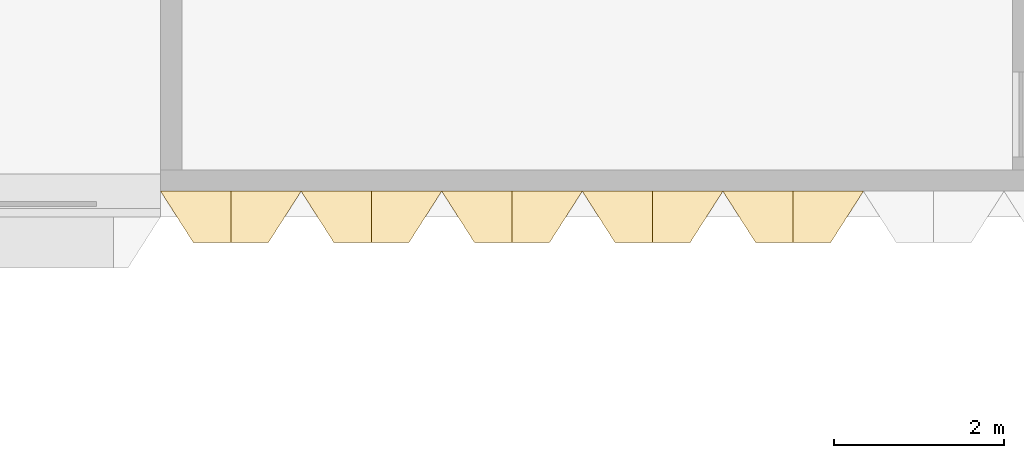
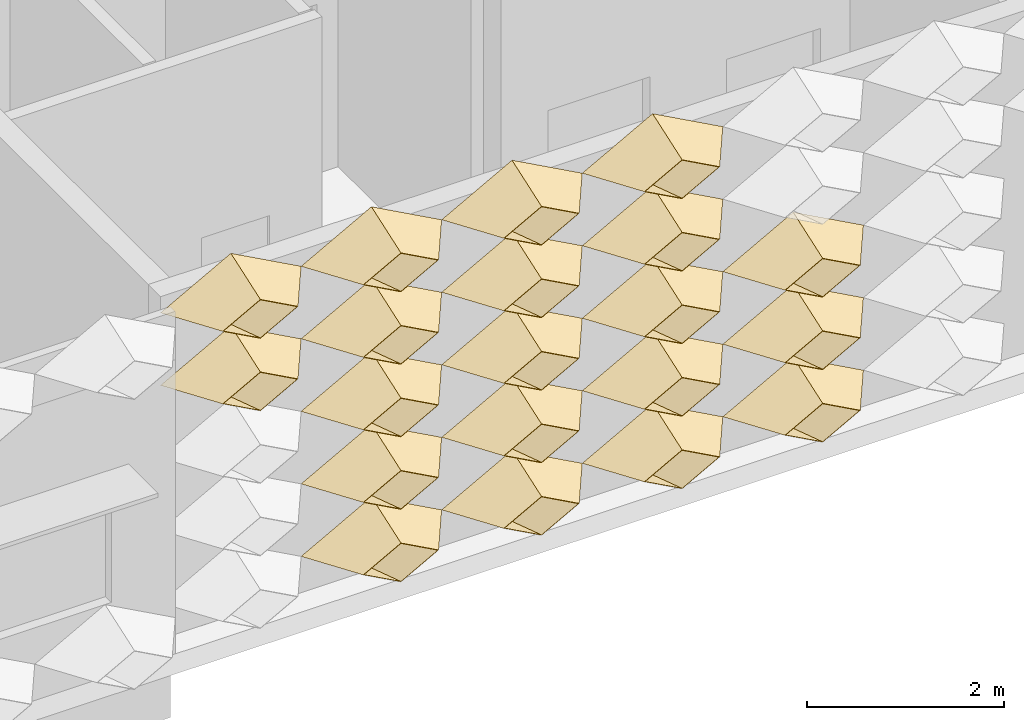
# One storey, part 88 of 102: 20 coverings.
"""IFC4 building model written with IfcOpenShell, lengths in metres."""

from ifc_helpers import new_model, entity, si_unit, direction, frame, origin, place, context, subcontext, project, spatial, material, layer, layer_set, type_object, element, save


model = new_model("IFC4")

# Units and contexts
model_context = context("Model", 3, precision=1e-05, world=origin(), true_north=direction((0.0, 1.0)))
body_context = subcontext(model_context, "Body", "Model", "MODEL_VIEW")
ifc_project = project(units=[si_unit("LENGTHUNIT", "METRE"), si_unit("AREAUNIT", "SQUARE_METRE"), si_unit("VOLUMEUNIT", "CUBIC_METRE"), si_unit("PLANEANGLEUNIT", "RADIAN"), si_unit("MASSUNIT", "GRAM", prefix="KILO")], contexts=[model_context])

# Site, building, storey
site_placement = place(None, origin())
site = spatial("IfcSite", under=ifc_project, at=site_placement, CompositionType="ELEMENT")
building_placement = place(site_placement, origin())
building = spatial("IfcBuilding", under=site, at=building_placement, Name="Lantern Court Research Institute", CompositionType="ELEMENT")
storey_placement = place(building_placement, frame((0.0, 0.0, 9.89990234375)))
storey = spatial("IfcBuildingStorey", under=building, at=storey_placement, Name="L02", CompositionType="ELEMENT", Elevation=9.89990234375)

# Coverings
ifc_material = material(Name="Anodised aluminium", Category="aluminium")
ifc_layer = layer(ifc_material, 0.01611328125)
ifc_layer_set = layer_set([ifc_layer], Name="Anodised aluminium")
covering_type = type_object("IfcCoveringType", Name="Fin cassette 1650 x 900 x 600 aluminium", PredefinedType="CLADDING", material=ifc_layer_set)
covering_1_placement = place(storey_placement, frame((42.074951171875, 82.5, 0.4501953125), z_axis=(0.0, -1.0, 0.0), x_axis=(1.0, 0.0, 0.0)))
cartesian_point_1 = entity("IfcCartesianPoint", [0.824951171875, 0.0])
cartesian_point_2 = entity("IfcCartesianPoint", [0.79150390625, 0.0])
cartesian_point_3 = entity("IfcCartesianPoint", [0.44189453125, 0.0])
cartesian_point_4 = entity("IfcCartesianPoint", [0.43359375, 0.0])
element("IfcCovering", 1, at=covering_1_placement, inside=storey, type_object=covering_type, Name="Fin cassette V6S-L02 1.26", PredefinedType="CLADDING", context=body_context, shape_type="SweptSolid", body=[
    entity("IfcExtrudedAreaSolidTapered", entity("IfcArbitraryProfileDefWithVoids", "AREA", None, entity("IfcPolyline", [cartesian_point_1, entity("IfcCartesianPoint", [0.0, 0.449951171875]), entity("IfcCartesianPoint", [-0.824951171875, 0.0]), entity("IfcCartesianPoint", [0.0, -0.449951171875]), cartesian_point_1]), [entity("IfcPolyline", [cartesian_point_2, entity("IfcCartesianPoint", [0.0, 0.431884765625]), entity("IfcCartesianPoint", [-0.79150390625, 0.0]), entity("IfcCartesianPoint", [0.0, -0.431884765625]), cartesian_point_2])]), entity("IfcAxis2Placement3D", entity("IfcCartesianPoint", [0.0, 0.0, 0.0])), entity("IfcDirection", [0.0, 0.0, 1.0]), 0.60009765625, entity("IfcArbitraryProfileDefWithVoids", "AREA", None, entity("IfcPolyline", [cartesian_point_3, entity("IfcCartesianPoint", [0.0, 0.240966796875]), entity("IfcCartesianPoint", [-0.44189453125, 0.0]), entity("IfcCartesianPoint", [0.0, -0.240966796875]), cartesian_point_3]), [entity("IfcPolyline", [cartesian_point_4, entity("IfcCartesianPoint", [0.0, 0.236572265625]), entity("IfcCartesianPoint", [-0.43359375, 0.0]), entity("IfcCartesianPoint", [0.0, -0.236572265625]), cartesian_point_4])])),
])
covering_2_placement = place(storey_placement, frame((43.72509765625, 82.5, 0.4501953125), z_axis=(0.0, -1.0, 0.0), x_axis=(1.0, 0.0, 0.0)))
cartesian_point_5 = entity("IfcCartesianPoint", [0.824951171875, 0.0])
cartesian_point_6 = entity("IfcCartesianPoint", [0.79150390625, 0.0])
cartesian_point_7 = entity("IfcCartesianPoint", [0.44189453125, 0.0])
cartesian_point_8 = entity("IfcCartesianPoint", [0.43359375, 0.0])
element("IfcCovering", 2, at=covering_2_placement, inside=storey, type_object=covering_type, Name="Fin cassette V6S-L02 1.27", PredefinedType="CLADDING", context=body_context, shape_type="SweptSolid", body=[
    entity("IfcExtrudedAreaSolidTapered", entity("IfcArbitraryProfileDefWithVoids", "AREA", None, entity("IfcPolyline", [cartesian_point_5, entity("IfcCartesianPoint", [0.0, 0.449951171875]), entity("IfcCartesianPoint", [-0.824951171875, 0.0]), entity("IfcCartesianPoint", [0.0, -0.449951171875]), cartesian_point_5]), [entity("IfcPolyline", [cartesian_point_6, entity("IfcCartesianPoint", [0.0, 0.431884765625]), entity("IfcCartesianPoint", [-0.79150390625, 0.0]), entity("IfcCartesianPoint", [0.0, -0.431884765625]), cartesian_point_6])]), entity("IfcAxis2Placement3D", entity("IfcCartesianPoint", [0.0, 0.0, 0.0])), entity("IfcDirection", [0.0, 0.0, 1.0]), 0.60009765625, entity("IfcArbitraryProfileDefWithVoids", "AREA", None, entity("IfcPolyline", [cartesian_point_7, entity("IfcCartesianPoint", [0.0, 0.240966796875]), entity("IfcCartesianPoint", [-0.44189453125, 0.0]), entity("IfcCartesianPoint", [0.0, -0.240966796875]), cartesian_point_7]), [entity("IfcPolyline", [cartesian_point_8, entity("IfcCartesianPoint", [0.0, 0.236572265625]), entity("IfcCartesianPoint", [-0.43359375, 0.0]), entity("IfcCartesianPoint", [0.0, -0.236572265625]), cartesian_point_8])])),
])
covering_3_placement = place(storey_placement, frame((45.375, 82.5, 0.4501953125), z_axis=(0.0, -1.0, 0.0), x_axis=(1.0, 0.0, 0.0)))
cartesian_point_9 = entity("IfcCartesianPoint", [0.824951171875, 0.0])
cartesian_point_10 = entity("IfcCartesianPoint", [0.79150390625, 0.0])
cartesian_point_11 = entity("IfcCartesianPoint", [0.44189453125, 0.0])
cartesian_point_12 = entity("IfcCartesianPoint", [0.43359375, 0.0])
element("IfcCovering", 3, at=covering_3_placement, inside=storey, type_object=covering_type, Name="Fin cassette V6S-L02 1.28", PredefinedType="CLADDING", context=body_context, shape_type="SweptSolid", body=[
    entity("IfcExtrudedAreaSolidTapered", entity("IfcArbitraryProfileDefWithVoids", "AREA", None, entity("IfcPolyline", [cartesian_point_9, entity("IfcCartesianPoint", [0.0, 0.449951171875]), entity("IfcCartesianPoint", [-0.824951171875, 0.0]), entity("IfcCartesianPoint", [0.0, -0.449951171875]), cartesian_point_9]), [entity("IfcPolyline", [cartesian_point_10, entity("IfcCartesianPoint", [0.0, 0.431884765625]), entity("IfcCartesianPoint", [-0.79150390625, 0.0]), entity("IfcCartesianPoint", [0.0, -0.431884765625]), cartesian_point_10])]), entity("IfcAxis2Placement3D", entity("IfcCartesianPoint", [0.0, 0.0, 0.0])), entity("IfcDirection", [0.0, 0.0, 1.0]), 0.60009765625, entity("IfcArbitraryProfileDefWithVoids", "AREA", None, entity("IfcPolyline", [cartesian_point_11, entity("IfcCartesianPoint", [0.0, 0.240966796875]), entity("IfcCartesianPoint", [-0.44189453125, 0.0]), entity("IfcCartesianPoint", [0.0, -0.240966796875]), cartesian_point_11]), [entity("IfcPolyline", [cartesian_point_12, entity("IfcCartesianPoint", [0.0, 0.236572265625]), entity("IfcCartesianPoint", [-0.43359375, 0.0]), entity("IfcCartesianPoint", [0.0, -0.236572265625]), cartesian_point_12])])),
])
covering_4_placement = place(storey_placement, frame((47.02490234375, 82.5, 0.4501953125), z_axis=(0.0, -1.0, 0.0), x_axis=(1.0, 0.0, 0.0)))
cartesian_point_13 = entity("IfcCartesianPoint", [0.824951171875, 0.0])
cartesian_point_14 = entity("IfcCartesianPoint", [0.79150390625, 0.0])
cartesian_point_15 = entity("IfcCartesianPoint", [0.44189453125, 0.0])
cartesian_point_16 = entity("IfcCartesianPoint", [0.43359375, 0.0])
element("IfcCovering", 4, at=covering_4_placement, inside=storey, type_object=covering_type, Name="Fin cassette V6S-L02 1.29", PredefinedType="CLADDING", context=body_context, shape_type="SweptSolid", body=[
    entity("IfcExtrudedAreaSolidTapered", entity("IfcArbitraryProfileDefWithVoids", "AREA", None, entity("IfcPolyline", [cartesian_point_13, entity("IfcCartesianPoint", [0.0, 0.449951171875]), entity("IfcCartesianPoint", [-0.824951171875, 0.0]), entity("IfcCartesianPoint", [0.0, -0.449951171875]), cartesian_point_13]), [entity("IfcPolyline", [cartesian_point_14, entity("IfcCartesianPoint", [0.0, 0.431884765625]), entity("IfcCartesianPoint", [-0.79150390625, 0.0]), entity("IfcCartesianPoint", [0.0, -0.431884765625]), cartesian_point_14])]), entity("IfcAxis2Placement3D", entity("IfcCartesianPoint", [0.0, 0.0, 0.0])), entity("IfcDirection", [0.0, 0.0, 1.0]), 0.60009765625, entity("IfcArbitraryProfileDefWithVoids", "AREA", None, entity("IfcPolyline", [cartesian_point_15, entity("IfcCartesianPoint", [0.0, 0.240966796875]), entity("IfcCartesianPoint", [-0.44189453125, 0.0]), entity("IfcCartesianPoint", [0.0, -0.240966796875]), cartesian_point_15]), [entity("IfcPolyline", [cartesian_point_16, entity("IfcCartesianPoint", [0.0, 0.236572265625]), entity("IfcCartesianPoint", [-0.43359375, 0.0]), entity("IfcCartesianPoint", [0.0, -0.236572265625]), cartesian_point_16])])),
])
covering_5_placement = place(storey_placement, frame((42.074951171875, 82.5, 1.35009765625), z_axis=(0.0, -1.0, 0.0), x_axis=(1.0, 0.0, 0.0)))
cartesian_point_17 = entity("IfcCartesianPoint", [0.824951171875, 0.0])
cartesian_point_18 = entity("IfcCartesianPoint", [0.79150390625, 0.0])
cartesian_point_19 = entity("IfcCartesianPoint", [0.44189453125, 0.0])
cartesian_point_20 = entity("IfcCartesianPoint", [0.43359375, 0.0])
element("IfcCovering", 5, at=covering_5_placement, inside=storey, type_object=covering_type, Name="Fin cassette V6S-L02 2.26", PredefinedType="CLADDING", context=body_context, shape_type="SweptSolid", body=[
    entity("IfcExtrudedAreaSolidTapered", entity("IfcArbitraryProfileDefWithVoids", "AREA", None, entity("IfcPolyline", [cartesian_point_17, entity("IfcCartesianPoint", [0.0, 0.449951171875]), entity("IfcCartesianPoint", [-0.824951171875, 0.0]), entity("IfcCartesianPoint", [0.0, -0.449951171875]), cartesian_point_17]), [entity("IfcPolyline", [cartesian_point_18, entity("IfcCartesianPoint", [0.0, 0.431884765625]), entity("IfcCartesianPoint", [-0.79150390625, 0.0]), entity("IfcCartesianPoint", [0.0, -0.431884765625]), cartesian_point_18])]), entity("IfcAxis2Placement3D", entity("IfcCartesianPoint", [0.0, 0.0, 0.0])), entity("IfcDirection", [0.0, 0.0, 1.0]), 0.60009765625, entity("IfcArbitraryProfileDefWithVoids", "AREA", None, entity("IfcPolyline", [cartesian_point_19, entity("IfcCartesianPoint", [0.0, 0.240966796875]), entity("IfcCartesianPoint", [-0.44189453125, 0.0]), entity("IfcCartesianPoint", [0.0, -0.240966796875]), cartesian_point_19]), [entity("IfcPolyline", [cartesian_point_20, entity("IfcCartesianPoint", [0.0, 0.236572265625]), entity("IfcCartesianPoint", [-0.43359375, 0.0]), entity("IfcCartesianPoint", [0.0, -0.236572265625]), cartesian_point_20])])),
])
covering_6_placement = place(storey_placement, frame((43.72509765625, 82.5, 1.35009765625), z_axis=(0.0, -1.0, 0.0), x_axis=(1.0, 0.0, 0.0)))
cartesian_point_21 = entity("IfcCartesianPoint", [0.824951171875, 0.0])
cartesian_point_22 = entity("IfcCartesianPoint", [0.79150390625, 0.0])
cartesian_point_23 = entity("IfcCartesianPoint", [0.44189453125, 0.0])
cartesian_point_24 = entity("IfcCartesianPoint", [0.43359375, 0.0])
element("IfcCovering", 6, at=covering_6_placement, inside=storey, type_object=covering_type, Name="Fin cassette V6S-L02 2.27", PredefinedType="CLADDING", context=body_context, shape_type="SweptSolid", body=[
    entity("IfcExtrudedAreaSolidTapered", entity("IfcArbitraryProfileDefWithVoids", "AREA", None, entity("IfcPolyline", [cartesian_point_21, entity("IfcCartesianPoint", [0.0, 0.449951171875]), entity("IfcCartesianPoint", [-0.824951171875, 0.0]), entity("IfcCartesianPoint", [0.0, -0.449951171875]), cartesian_point_21]), [entity("IfcPolyline", [cartesian_point_22, entity("IfcCartesianPoint", [0.0, 0.431884765625]), entity("IfcCartesianPoint", [-0.79150390625, 0.0]), entity("IfcCartesianPoint", [0.0, -0.431884765625]), cartesian_point_22])]), entity("IfcAxis2Placement3D", entity("IfcCartesianPoint", [0.0, 0.0, 0.0])), entity("IfcDirection", [0.0, 0.0, 1.0]), 0.60009765625, entity("IfcArbitraryProfileDefWithVoids", "AREA", None, entity("IfcPolyline", [cartesian_point_23, entity("IfcCartesianPoint", [0.0, 0.240966796875]), entity("IfcCartesianPoint", [-0.44189453125, 0.0]), entity("IfcCartesianPoint", [0.0, -0.240966796875]), cartesian_point_23]), [entity("IfcPolyline", [cartesian_point_24, entity("IfcCartesianPoint", [0.0, 0.236572265625]), entity("IfcCartesianPoint", [-0.43359375, 0.0]), entity("IfcCartesianPoint", [0.0, -0.236572265625]), cartesian_point_24])])),
])
covering_7_placement = place(storey_placement, frame((45.375, 82.5, 1.35009765625), z_axis=(0.0, -1.0, 0.0), x_axis=(1.0, 0.0, 0.0)))
cartesian_point_25 = entity("IfcCartesianPoint", [0.824951171875, 0.0])
cartesian_point_26 = entity("IfcCartesianPoint", [0.79150390625, 0.0])
cartesian_point_27 = entity("IfcCartesianPoint", [0.44189453125, 0.0])
cartesian_point_28 = entity("IfcCartesianPoint", [0.43359375, 0.0])
element("IfcCovering", 7, at=covering_7_placement, inside=storey, type_object=covering_type, Name="Fin cassette V6S-L02 2.28", PredefinedType="CLADDING", context=body_context, shape_type="SweptSolid", body=[
    entity("IfcExtrudedAreaSolidTapered", entity("IfcArbitraryProfileDefWithVoids", "AREA", None, entity("IfcPolyline", [cartesian_point_25, entity("IfcCartesianPoint", [0.0, 0.449951171875]), entity("IfcCartesianPoint", [-0.824951171875, 0.0]), entity("IfcCartesianPoint", [0.0, -0.449951171875]), cartesian_point_25]), [entity("IfcPolyline", [cartesian_point_26, entity("IfcCartesianPoint", [0.0, 0.431884765625]), entity("IfcCartesianPoint", [-0.79150390625, 0.0]), entity("IfcCartesianPoint", [0.0, -0.431884765625]), cartesian_point_26])]), entity("IfcAxis2Placement3D", entity("IfcCartesianPoint", [0.0, 0.0, 0.0])), entity("IfcDirection", [0.0, 0.0, 1.0]), 0.60009765625, entity("IfcArbitraryProfileDefWithVoids", "AREA", None, entity("IfcPolyline", [cartesian_point_27, entity("IfcCartesianPoint", [0.0, 0.240966796875]), entity("IfcCartesianPoint", [-0.44189453125, 0.0]), entity("IfcCartesianPoint", [0.0, -0.240966796875]), cartesian_point_27]), [entity("IfcPolyline", [cartesian_point_28, entity("IfcCartesianPoint", [0.0, 0.236572265625]), entity("IfcCartesianPoint", [-0.43359375, 0.0]), entity("IfcCartesianPoint", [0.0, -0.236572265625]), cartesian_point_28])])),
])
covering_8_placement = place(storey_placement, frame((47.02490234375, 82.5, 1.35009765625), z_axis=(0.0, -1.0, 0.0), x_axis=(1.0, 0.0, 0.0)))
cartesian_point_29 = entity("IfcCartesianPoint", [0.824951171875, 0.0])
cartesian_point_30 = entity("IfcCartesianPoint", [0.79150390625, 0.0])
cartesian_point_31 = entity("IfcCartesianPoint", [0.44189453125, 0.0])
cartesian_point_32 = entity("IfcCartesianPoint", [0.43359375, 0.0])
element("IfcCovering", 8, at=covering_8_placement, inside=storey, type_object=covering_type, Name="Fin cassette V6S-L02 2.29", PredefinedType="CLADDING", context=body_context, shape_type="SweptSolid", body=[
    entity("IfcExtrudedAreaSolidTapered", entity("IfcArbitraryProfileDefWithVoids", "AREA", None, entity("IfcPolyline", [cartesian_point_29, entity("IfcCartesianPoint", [0.0, 0.449951171875]), entity("IfcCartesianPoint", [-0.824951171875, 0.0]), entity("IfcCartesianPoint", [0.0, -0.449951171875]), cartesian_point_29]), [entity("IfcPolyline", [cartesian_point_30, entity("IfcCartesianPoint", [0.0, 0.431884765625]), entity("IfcCartesianPoint", [-0.79150390625, 0.0]), entity("IfcCartesianPoint", [0.0, -0.431884765625]), cartesian_point_30])]), entity("IfcAxis2Placement3D", entity("IfcCartesianPoint", [0.0, 0.0, 0.0])), entity("IfcDirection", [0.0, 0.0, 1.0]), 0.60009765625, entity("IfcArbitraryProfileDefWithVoids", "AREA", None, entity("IfcPolyline", [cartesian_point_31, entity("IfcCartesianPoint", [0.0, 0.240966796875]), entity("IfcCartesianPoint", [-0.44189453125, 0.0]), entity("IfcCartesianPoint", [0.0, -0.240966796875]), cartesian_point_31]), [entity("IfcPolyline", [cartesian_point_32, entity("IfcCartesianPoint", [0.0, 0.236572265625]), entity("IfcCartesianPoint", [-0.43359375, 0.0]), entity("IfcCartesianPoint", [0.0, -0.236572265625]), cartesian_point_32])])),
])
covering_9_placement = place(storey_placement, frame((42.074951171875, 82.5, 2.25), z_axis=(0.0, -1.0, 0.0), x_axis=(1.0, 0.0, 0.0)))
cartesian_point_33 = entity("IfcCartesianPoint", [0.824951171875, 0.0])
cartesian_point_34 = entity("IfcCartesianPoint", [0.79150390625, 0.0])
cartesian_point_35 = entity("IfcCartesianPoint", [0.44189453125, 0.0])
cartesian_point_36 = entity("IfcCartesianPoint", [0.43359375, 0.0])
element("IfcCovering", 9, at=covering_9_placement, inside=storey, type_object=covering_type, Name="Fin cassette V6S-L02 3.26", PredefinedType="CLADDING", context=body_context, shape_type="SweptSolid", body=[
    entity("IfcExtrudedAreaSolidTapered", entity("IfcArbitraryProfileDefWithVoids", "AREA", None, entity("IfcPolyline", [cartesian_point_33, entity("IfcCartesianPoint", [0.0, 0.449951171875]), entity("IfcCartesianPoint", [-0.824951171875, 0.0]), entity("IfcCartesianPoint", [0.0, -0.449951171875]), cartesian_point_33]), [entity("IfcPolyline", [cartesian_point_34, entity("IfcCartesianPoint", [0.0, 0.431884765625]), entity("IfcCartesianPoint", [-0.79150390625, 0.0]), entity("IfcCartesianPoint", [0.0, -0.431884765625]), cartesian_point_34])]), entity("IfcAxis2Placement3D", entity("IfcCartesianPoint", [0.0, 0.0, 0.0])), entity("IfcDirection", [0.0, 0.0, 1.0]), 0.60009765625, entity("IfcArbitraryProfileDefWithVoids", "AREA", None, entity("IfcPolyline", [cartesian_point_35, entity("IfcCartesianPoint", [0.0, 0.240966796875]), entity("IfcCartesianPoint", [-0.44189453125, 0.0]), entity("IfcCartesianPoint", [0.0, -0.240966796875]), cartesian_point_35]), [entity("IfcPolyline", [cartesian_point_36, entity("IfcCartesianPoint", [0.0, 0.236572265625]), entity("IfcCartesianPoint", [-0.43359375, 0.0]), entity("IfcCartesianPoint", [0.0, -0.236572265625]), cartesian_point_36])])),
])
covering_10_placement = place(storey_placement, frame((43.72509765625, 82.5, 2.25), z_axis=(0.0, -1.0, 0.0), x_axis=(1.0, 0.0, 0.0)))
cartesian_point_37 = entity("IfcCartesianPoint", [0.824951171875, 0.0])
cartesian_point_38 = entity("IfcCartesianPoint", [0.79150390625, 0.0])
cartesian_point_39 = entity("IfcCartesianPoint", [0.44189453125, 0.0])
cartesian_point_40 = entity("IfcCartesianPoint", [0.43359375, 0.0])
element("IfcCovering", 10, at=covering_10_placement, inside=storey, type_object=covering_type, Name="Fin cassette V6S-L02 3.27", PredefinedType="CLADDING", context=body_context, shape_type="SweptSolid", body=[
    entity("IfcExtrudedAreaSolidTapered", entity("IfcArbitraryProfileDefWithVoids", "AREA", None, entity("IfcPolyline", [cartesian_point_37, entity("IfcCartesianPoint", [0.0, 0.449951171875]), entity("IfcCartesianPoint", [-0.824951171875, 0.0]), entity("IfcCartesianPoint", [0.0, -0.449951171875]), cartesian_point_37]), [entity("IfcPolyline", [cartesian_point_38, entity("IfcCartesianPoint", [0.0, 0.431884765625]), entity("IfcCartesianPoint", [-0.79150390625, 0.0]), entity("IfcCartesianPoint", [0.0, -0.431884765625]), cartesian_point_38])]), entity("IfcAxis2Placement3D", entity("IfcCartesianPoint", [0.0, 0.0, 0.0])), entity("IfcDirection", [0.0, 0.0, 1.0]), 0.60009765625, entity("IfcArbitraryProfileDefWithVoids", "AREA", None, entity("IfcPolyline", [cartesian_point_39, entity("IfcCartesianPoint", [0.0, 0.240966796875]), entity("IfcCartesianPoint", [-0.44189453125, 0.0]), entity("IfcCartesianPoint", [0.0, -0.240966796875]), cartesian_point_39]), [entity("IfcPolyline", [cartesian_point_40, entity("IfcCartesianPoint", [0.0, 0.236572265625]), entity("IfcCartesianPoint", [-0.43359375, 0.0]), entity("IfcCartesianPoint", [0.0, -0.236572265625]), cartesian_point_40])])),
])
covering_11_placement = place(storey_placement, frame((45.375, 82.5, 2.25), z_axis=(0.0, -1.0, 0.0), x_axis=(1.0, 0.0, 0.0)))
cartesian_point_41 = entity("IfcCartesianPoint", [0.824951171875, 0.0])
cartesian_point_42 = entity("IfcCartesianPoint", [0.79150390625, 0.0])
cartesian_point_43 = entity("IfcCartesianPoint", [0.44189453125, 0.0])
cartesian_point_44 = entity("IfcCartesianPoint", [0.43359375, 0.0])
element("IfcCovering", 11, at=covering_11_placement, inside=storey, type_object=covering_type, Name="Fin cassette V6S-L02 3.28", PredefinedType="CLADDING", context=body_context, shape_type="SweptSolid", body=[
    entity("IfcExtrudedAreaSolidTapered", entity("IfcArbitraryProfileDefWithVoids", "AREA", None, entity("IfcPolyline", [cartesian_point_41, entity("IfcCartesianPoint", [0.0, 0.449951171875]), entity("IfcCartesianPoint", [-0.824951171875, 0.0]), entity("IfcCartesianPoint", [0.0, -0.449951171875]), cartesian_point_41]), [entity("IfcPolyline", [cartesian_point_42, entity("IfcCartesianPoint", [0.0, 0.431884765625]), entity("IfcCartesianPoint", [-0.79150390625, 0.0]), entity("IfcCartesianPoint", [0.0, -0.431884765625]), cartesian_point_42])]), entity("IfcAxis2Placement3D", entity("IfcCartesianPoint", [0.0, 0.0, 0.0])), entity("IfcDirection", [0.0, 0.0, 1.0]), 0.60009765625, entity("IfcArbitraryProfileDefWithVoids", "AREA", None, entity("IfcPolyline", [cartesian_point_43, entity("IfcCartesianPoint", [0.0, 0.240966796875]), entity("IfcCartesianPoint", [-0.44189453125, 0.0]), entity("IfcCartesianPoint", [0.0, -0.240966796875]), cartesian_point_43]), [entity("IfcPolyline", [cartesian_point_44, entity("IfcCartesianPoint", [0.0, 0.236572265625]), entity("IfcCartesianPoint", [-0.43359375, 0.0]), entity("IfcCartesianPoint", [0.0, -0.236572265625]), cartesian_point_44])])),
])
covering_12_placement = place(storey_placement, frame((47.02490234375, 82.5, 2.25), z_axis=(0.0, -1.0, 0.0), x_axis=(1.0, 0.0, 0.0)))
cartesian_point_45 = entity("IfcCartesianPoint", [0.824951171875, 0.0])
cartesian_point_46 = entity("IfcCartesianPoint", [0.79150390625, 0.0])
cartesian_point_47 = entity("IfcCartesianPoint", [0.44189453125, 0.0])
cartesian_point_48 = entity("IfcCartesianPoint", [0.43359375, 0.0])
element("IfcCovering", 12, at=covering_12_placement, inside=storey, type_object=covering_type, Name="Fin cassette V6S-L02 3.29", PredefinedType="CLADDING", context=body_context, shape_type="SweptSolid", body=[
    entity("IfcExtrudedAreaSolidTapered", entity("IfcArbitraryProfileDefWithVoids", "AREA", None, entity("IfcPolyline", [cartesian_point_45, entity("IfcCartesianPoint", [0.0, 0.449951171875]), entity("IfcCartesianPoint", [-0.824951171875, 0.0]), entity("IfcCartesianPoint", [0.0, -0.449951171875]), cartesian_point_45]), [entity("IfcPolyline", [cartesian_point_46, entity("IfcCartesianPoint", [0.0, 0.431884765625]), entity("IfcCartesianPoint", [-0.79150390625, 0.0]), entity("IfcCartesianPoint", [0.0, -0.431884765625]), cartesian_point_46])]), entity("IfcAxis2Placement3D", entity("IfcCartesianPoint", [0.0, 0.0, 0.0])), entity("IfcDirection", [0.0, 0.0, 1.0]), 0.60009765625, entity("IfcArbitraryProfileDefWithVoids", "AREA", None, entity("IfcPolyline", [cartesian_point_47, entity("IfcCartesianPoint", [0.0, 0.240966796875]), entity("IfcCartesianPoint", [-0.44189453125, 0.0]), entity("IfcCartesianPoint", [0.0, -0.240966796875]), cartesian_point_47]), [entity("IfcPolyline", [cartesian_point_48, entity("IfcCartesianPoint", [0.0, 0.236572265625]), entity("IfcCartesianPoint", [-0.43359375, 0.0]), entity("IfcCartesianPoint", [0.0, -0.236572265625]), cartesian_point_48])])),
])
covering_13_placement = place(storey_placement, frame((40.425048828125, 82.5, 3.150146484375), z_axis=(0.0, -1.0, 0.0), x_axis=(1.0, 0.0, 0.0)))
cartesian_point_49 = entity("IfcCartesianPoint", [0.824951171875, 0.0])
cartesian_point_50 = entity("IfcCartesianPoint", [0.79150390625, 0.0])
cartesian_point_51 = entity("IfcCartesianPoint", [0.44189453125, 0.0])
cartesian_point_52 = entity("IfcCartesianPoint", [0.43359375, 0.0])
element("IfcCovering", 13, at=covering_13_placement, inside=storey, type_object=covering_type, Name="Fin cassette V6S-L02 4.25", PredefinedType="CLADDING", context=body_context, shape_type="SweptSolid", body=[
    entity("IfcExtrudedAreaSolidTapered", entity("IfcArbitraryProfileDefWithVoids", "AREA", None, entity("IfcPolyline", [cartesian_point_49, entity("IfcCartesianPoint", [0.0, 0.449951171875]), entity("IfcCartesianPoint", [-0.824951171875, 0.0]), entity("IfcCartesianPoint", [0.0, -0.449951171875]), cartesian_point_49]), [entity("IfcPolyline", [cartesian_point_50, entity("IfcCartesianPoint", [0.0, 0.431884765625]), entity("IfcCartesianPoint", [-0.79150390625, 0.0]), entity("IfcCartesianPoint", [0.0, -0.431884765625]), cartesian_point_50])]), entity("IfcAxis2Placement3D", entity("IfcCartesianPoint", [0.0, 0.0, 0.0])), entity("IfcDirection", [0.0, 0.0, 1.0]), 0.60009765625, entity("IfcArbitraryProfileDefWithVoids", "AREA", None, entity("IfcPolyline", [cartesian_point_51, entity("IfcCartesianPoint", [0.0, 0.240966796875]), entity("IfcCartesianPoint", [-0.44189453125, 0.0]), entity("IfcCartesianPoint", [0.0, -0.240966796875]), cartesian_point_51]), [entity("IfcPolyline", [cartesian_point_52, entity("IfcCartesianPoint", [0.0, 0.236572265625]), entity("IfcCartesianPoint", [-0.43359375, 0.0]), entity("IfcCartesianPoint", [0.0, -0.236572265625]), cartesian_point_52])])),
])
covering_14_placement = place(storey_placement, frame((42.074951171875, 82.5, 3.150146484375), z_axis=(0.0, -1.0, 0.0), x_axis=(1.0, 0.0, 0.0)))
cartesian_point_53 = entity("IfcCartesianPoint", [0.824951171875, 0.0])
cartesian_point_54 = entity("IfcCartesianPoint", [0.79150390625, 0.0])
cartesian_point_55 = entity("IfcCartesianPoint", [0.44189453125, 0.0])
cartesian_point_56 = entity("IfcCartesianPoint", [0.43359375, 0.0])
element("IfcCovering", 14, at=covering_14_placement, inside=storey, type_object=covering_type, Name="Fin cassette V6S-L02 4.26", PredefinedType="CLADDING", context=body_context, shape_type="SweptSolid", body=[
    entity("IfcExtrudedAreaSolidTapered", entity("IfcArbitraryProfileDefWithVoids", "AREA", None, entity("IfcPolyline", [cartesian_point_53, entity("IfcCartesianPoint", [0.0, 0.449951171875]), entity("IfcCartesianPoint", [-0.824951171875, 0.0]), entity("IfcCartesianPoint", [0.0, -0.449951171875]), cartesian_point_53]), [entity("IfcPolyline", [cartesian_point_54, entity("IfcCartesianPoint", [0.0, 0.431884765625]), entity("IfcCartesianPoint", [-0.79150390625, 0.0]), entity("IfcCartesianPoint", [0.0, -0.431884765625]), cartesian_point_54])]), entity("IfcAxis2Placement3D", entity("IfcCartesianPoint", [0.0, 0.0, 0.0])), entity("IfcDirection", [0.0, 0.0, 1.0]), 0.60009765625, entity("IfcArbitraryProfileDefWithVoids", "AREA", None, entity("IfcPolyline", [cartesian_point_55, entity("IfcCartesianPoint", [0.0, 0.240966796875]), entity("IfcCartesianPoint", [-0.44189453125, 0.0]), entity("IfcCartesianPoint", [0.0, -0.240966796875]), cartesian_point_55]), [entity("IfcPolyline", [cartesian_point_56, entity("IfcCartesianPoint", [0.0, 0.236572265625]), entity("IfcCartesianPoint", [-0.43359375, 0.0]), entity("IfcCartesianPoint", [0.0, -0.236572265625]), cartesian_point_56])])),
])
covering_15_placement = place(storey_placement, frame((43.72509765625, 82.5, 3.150146484375), z_axis=(0.0, -1.0, 0.0), x_axis=(1.0, 0.0, 0.0)))
cartesian_point_57 = entity("IfcCartesianPoint", [0.824951171875, 0.0])
cartesian_point_58 = entity("IfcCartesianPoint", [0.79150390625, 0.0])
cartesian_point_59 = entity("IfcCartesianPoint", [0.44189453125, 0.0])
cartesian_point_60 = entity("IfcCartesianPoint", [0.43359375, 0.0])
element("IfcCovering", 15, at=covering_15_placement, inside=storey, type_object=covering_type, Name="Fin cassette V6S-L02 4.27", PredefinedType="CLADDING", context=body_context, shape_type="SweptSolid", body=[
    entity("IfcExtrudedAreaSolidTapered", entity("IfcArbitraryProfileDefWithVoids", "AREA", None, entity("IfcPolyline", [cartesian_point_57, entity("IfcCartesianPoint", [0.0, 0.449951171875]), entity("IfcCartesianPoint", [-0.824951171875, 0.0]), entity("IfcCartesianPoint", [0.0, -0.449951171875]), cartesian_point_57]), [entity("IfcPolyline", [cartesian_point_58, entity("IfcCartesianPoint", [0.0, 0.431884765625]), entity("IfcCartesianPoint", [-0.79150390625, 0.0]), entity("IfcCartesianPoint", [0.0, -0.431884765625]), cartesian_point_58])]), entity("IfcAxis2Placement3D", entity("IfcCartesianPoint", [0.0, 0.0, 0.0])), entity("IfcDirection", [0.0, 0.0, 1.0]), 0.60009765625, entity("IfcArbitraryProfileDefWithVoids", "AREA", None, entity("IfcPolyline", [cartesian_point_59, entity("IfcCartesianPoint", [0.0, 0.240966796875]), entity("IfcCartesianPoint", [-0.44189453125, 0.0]), entity("IfcCartesianPoint", [0.0, -0.240966796875]), cartesian_point_59]), [entity("IfcPolyline", [cartesian_point_60, entity("IfcCartesianPoint", [0.0, 0.236572265625]), entity("IfcCartesianPoint", [-0.43359375, 0.0]), entity("IfcCartesianPoint", [0.0, -0.236572265625]), cartesian_point_60])])),
])
covering_16_placement = place(storey_placement, frame((45.375, 82.5, 3.150146484375), z_axis=(0.0, -1.0, 0.0), x_axis=(1.0, 0.0, 0.0)))
cartesian_point_61 = entity("IfcCartesianPoint", [0.824951171875, 0.0])
cartesian_point_62 = entity("IfcCartesianPoint", [0.79150390625, 0.0])
cartesian_point_63 = entity("IfcCartesianPoint", [0.44189453125, 0.0])
cartesian_point_64 = entity("IfcCartesianPoint", [0.43359375, 0.0])
element("IfcCovering", 16, at=covering_16_placement, inside=storey, type_object=covering_type, Name="Fin cassette V6S-L02 4.28", PredefinedType="CLADDING", context=body_context, shape_type="SweptSolid", body=[
    entity("IfcExtrudedAreaSolidTapered", entity("IfcArbitraryProfileDefWithVoids", "AREA", None, entity("IfcPolyline", [cartesian_point_61, entity("IfcCartesianPoint", [0.0, 0.449951171875]), entity("IfcCartesianPoint", [-0.824951171875, 0.0]), entity("IfcCartesianPoint", [0.0, -0.449951171875]), cartesian_point_61]), [entity("IfcPolyline", [cartesian_point_62, entity("IfcCartesianPoint", [0.0, 0.431884765625]), entity("IfcCartesianPoint", [-0.79150390625, 0.0]), entity("IfcCartesianPoint", [0.0, -0.431884765625]), cartesian_point_62])]), entity("IfcAxis2Placement3D", entity("IfcCartesianPoint", [0.0, 0.0, 0.0])), entity("IfcDirection", [0.0, 0.0, 1.0]), 0.60009765625, entity("IfcArbitraryProfileDefWithVoids", "AREA", None, entity("IfcPolyline", [cartesian_point_63, entity("IfcCartesianPoint", [0.0, 0.240966796875]), entity("IfcCartesianPoint", [-0.44189453125, 0.0]), entity("IfcCartesianPoint", [0.0, -0.240966796875]), cartesian_point_63]), [entity("IfcPolyline", [cartesian_point_64, entity("IfcCartesianPoint", [0.0, 0.236572265625]), entity("IfcCartesianPoint", [-0.43359375, 0.0]), entity("IfcCartesianPoint", [0.0, -0.236572265625]), cartesian_point_64])])),
])
covering_17_placement = place(storey_placement, frame((40.425048828125, 82.5, 4.050048828125), z_axis=(0.0, -1.0, 0.0), x_axis=(1.0, 0.0, 0.0)))
cartesian_point_65 = entity("IfcCartesianPoint", [0.824951171875, 0.0])
cartesian_point_66 = entity("IfcCartesianPoint", [0.79150390625, 0.0])
cartesian_point_67 = entity("IfcCartesianPoint", [0.44189453125, 0.0])
cartesian_point_68 = entity("IfcCartesianPoint", [0.43359375, 0.0])
element("IfcCovering", 17, at=covering_17_placement, inside=storey, type_object=covering_type, Name="Fin cassette V6S-L02 5.25", PredefinedType="CLADDING", context=body_context, shape_type="SweptSolid", body=[
    entity("IfcExtrudedAreaSolidTapered", entity("IfcArbitraryProfileDefWithVoids", "AREA", None, entity("IfcPolyline", [cartesian_point_65, entity("IfcCartesianPoint", [0.0, 0.449951171875]), entity("IfcCartesianPoint", [-0.824951171875, 0.0]), entity("IfcCartesianPoint", [0.0, -0.449951171875]), cartesian_point_65]), [entity("IfcPolyline", [cartesian_point_66, entity("IfcCartesianPoint", [0.0, 0.431884765625]), entity("IfcCartesianPoint", [-0.79150390625, 0.0]), entity("IfcCartesianPoint", [0.0, -0.431884765625]), cartesian_point_66])]), entity("IfcAxis2Placement3D", entity("IfcCartesianPoint", [0.0, 0.0, 0.0])), entity("IfcDirection", [0.0, 0.0, 1.0]), 0.60009765625, entity("IfcArbitraryProfileDefWithVoids", "AREA", None, entity("IfcPolyline", [cartesian_point_67, entity("IfcCartesianPoint", [0.0, 0.240966796875]), entity("IfcCartesianPoint", [-0.44189453125, 0.0]), entity("IfcCartesianPoint", [0.0, -0.240966796875]), cartesian_point_67]), [entity("IfcPolyline", [cartesian_point_68, entity("IfcCartesianPoint", [0.0, 0.236572265625]), entity("IfcCartesianPoint", [-0.43359375, 0.0]), entity("IfcCartesianPoint", [0.0, -0.236572265625]), cartesian_point_68])])),
])
covering_18_placement = place(storey_placement, frame((42.074951171875, 82.5, 4.050048828125), z_axis=(0.0, -1.0, 0.0), x_axis=(1.0, 0.0, 0.0)))
cartesian_point_69 = entity("IfcCartesianPoint", [0.824951171875, 0.0])
cartesian_point_70 = entity("IfcCartesianPoint", [0.79150390625, 0.0])
cartesian_point_71 = entity("IfcCartesianPoint", [0.44189453125, 0.0])
cartesian_point_72 = entity("IfcCartesianPoint", [0.43359375, 0.0])
element("IfcCovering", 18, at=covering_18_placement, inside=storey, type_object=covering_type, Name="Fin cassette V6S-L02 5.26", PredefinedType="CLADDING", context=body_context, shape_type="SweptSolid", body=[
    entity("IfcExtrudedAreaSolidTapered", entity("IfcArbitraryProfileDefWithVoids", "AREA", None, entity("IfcPolyline", [cartesian_point_69, entity("IfcCartesianPoint", [0.0, 0.449951171875]), entity("IfcCartesianPoint", [-0.824951171875, 0.0]), entity("IfcCartesianPoint", [0.0, -0.449951171875]), cartesian_point_69]), [entity("IfcPolyline", [cartesian_point_70, entity("IfcCartesianPoint", [0.0, 0.431884765625]), entity("IfcCartesianPoint", [-0.79150390625, 0.0]), entity("IfcCartesianPoint", [0.0, -0.431884765625]), cartesian_point_70])]), entity("IfcAxis2Placement3D", entity("IfcCartesianPoint", [0.0, 0.0, 0.0])), entity("IfcDirection", [0.0, 0.0, 1.0]), 0.60009765625, entity("IfcArbitraryProfileDefWithVoids", "AREA", None, entity("IfcPolyline", [cartesian_point_71, entity("IfcCartesianPoint", [0.0, 0.240966796875]), entity("IfcCartesianPoint", [-0.44189453125, 0.0]), entity("IfcCartesianPoint", [0.0, -0.240966796875]), cartesian_point_71]), [entity("IfcPolyline", [cartesian_point_72, entity("IfcCartesianPoint", [0.0, 0.236572265625]), entity("IfcCartesianPoint", [-0.43359375, 0.0]), entity("IfcCartesianPoint", [0.0, -0.236572265625]), cartesian_point_72])])),
])
covering_19_placement = place(storey_placement, frame((43.72509765625, 82.5, 4.050048828125), z_axis=(0.0, -1.0, 0.0), x_axis=(1.0, 0.0, 0.0)))
cartesian_point_73 = entity("IfcCartesianPoint", [0.824951171875, 0.0])
cartesian_point_74 = entity("IfcCartesianPoint", [0.79150390625, 0.0])
cartesian_point_75 = entity("IfcCartesianPoint", [0.44189453125, 0.0])
cartesian_point_76 = entity("IfcCartesianPoint", [0.43359375, 0.0])
element("IfcCovering", 19, at=covering_19_placement, inside=storey, type_object=covering_type, Name="Fin cassette V6S-L02 5.27", PredefinedType="CLADDING", context=body_context, shape_type="SweptSolid", body=[
    entity("IfcExtrudedAreaSolidTapered", entity("IfcArbitraryProfileDefWithVoids", "AREA", None, entity("IfcPolyline", [cartesian_point_73, entity("IfcCartesianPoint", [0.0, 0.449951171875]), entity("IfcCartesianPoint", [-0.824951171875, 0.0]), entity("IfcCartesianPoint", [0.0, -0.449951171875]), cartesian_point_73]), [entity("IfcPolyline", [cartesian_point_74, entity("IfcCartesianPoint", [0.0, 0.431884765625]), entity("IfcCartesianPoint", [-0.79150390625, 0.0]), entity("IfcCartesianPoint", [0.0, -0.431884765625]), cartesian_point_74])]), entity("IfcAxis2Placement3D", entity("IfcCartesianPoint", [0.0, 0.0, 0.0])), entity("IfcDirection", [0.0, 0.0, 1.0]), 0.60009765625, entity("IfcArbitraryProfileDefWithVoids", "AREA", None, entity("IfcPolyline", [cartesian_point_75, entity("IfcCartesianPoint", [0.0, 0.240966796875]), entity("IfcCartesianPoint", [-0.44189453125, 0.0]), entity("IfcCartesianPoint", [0.0, -0.240966796875]), cartesian_point_75]), [entity("IfcPolyline", [cartesian_point_76, entity("IfcCartesianPoint", [0.0, 0.236572265625]), entity("IfcCartesianPoint", [-0.43359375, 0.0]), entity("IfcCartesianPoint", [0.0, -0.236572265625]), cartesian_point_76])])),
])
covering_20_placement = place(storey_placement, frame((45.375, 82.5, 4.050048828125), z_axis=(0.0, -1.0, 0.0), x_axis=(1.0, 0.0, 0.0)))
cartesian_point_77 = entity("IfcCartesianPoint", [0.824951171875, 0.0])
cartesian_point_78 = entity("IfcCartesianPoint", [0.79150390625, 0.0])
cartesian_point_79 = entity("IfcCartesianPoint", [0.44189453125, 0.0])
cartesian_point_80 = entity("IfcCartesianPoint", [0.43359375, 0.0])
element("IfcCovering", 20, at=covering_20_placement, inside=storey, type_object=covering_type, Name="Fin cassette V6S-L02 5.28", PredefinedType="CLADDING", context=body_context, shape_type="SweptSolid", body=[
    entity("IfcExtrudedAreaSolidTapered", entity("IfcArbitraryProfileDefWithVoids", "AREA", None, entity("IfcPolyline", [cartesian_point_77, entity("IfcCartesianPoint", [0.0, 0.449951171875]), entity("IfcCartesianPoint", [-0.824951171875, 0.0]), entity("IfcCartesianPoint", [0.0, -0.449951171875]), cartesian_point_77]), [entity("IfcPolyline", [cartesian_point_78, entity("IfcCartesianPoint", [0.0, 0.431884765625]), entity("IfcCartesianPoint", [-0.79150390625, 0.0]), entity("IfcCartesianPoint", [0.0, -0.431884765625]), cartesian_point_78])]), entity("IfcAxis2Placement3D", entity("IfcCartesianPoint", [0.0, 0.0, 0.0])), entity("IfcDirection", [0.0, 0.0, 1.0]), 0.60009765625, entity("IfcArbitraryProfileDefWithVoids", "AREA", None, entity("IfcPolyline", [cartesian_point_79, entity("IfcCartesianPoint", [0.0, 0.240966796875]), entity("IfcCartesianPoint", [-0.44189453125, 0.0]), entity("IfcCartesianPoint", [0.0, -0.240966796875]), cartesian_point_79]), [entity("IfcPolyline", [cartesian_point_80, entity("IfcCartesianPoint", [0.0, 0.236572265625]), entity("IfcCartesianPoint", [-0.43359375, 0.0]), entity("IfcCartesianPoint", [0.0, -0.236572265625]), cartesian_point_80])])),
])

save(model, "model.ifc")
